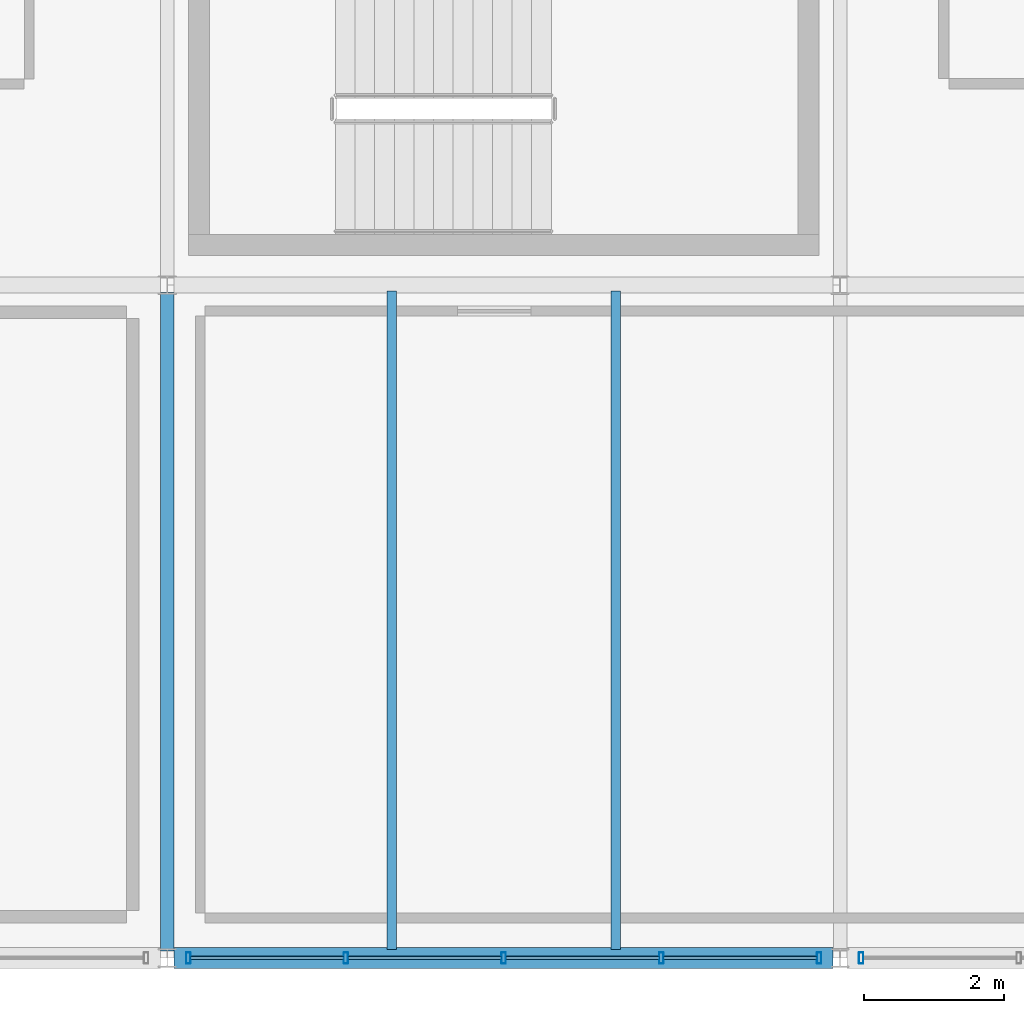
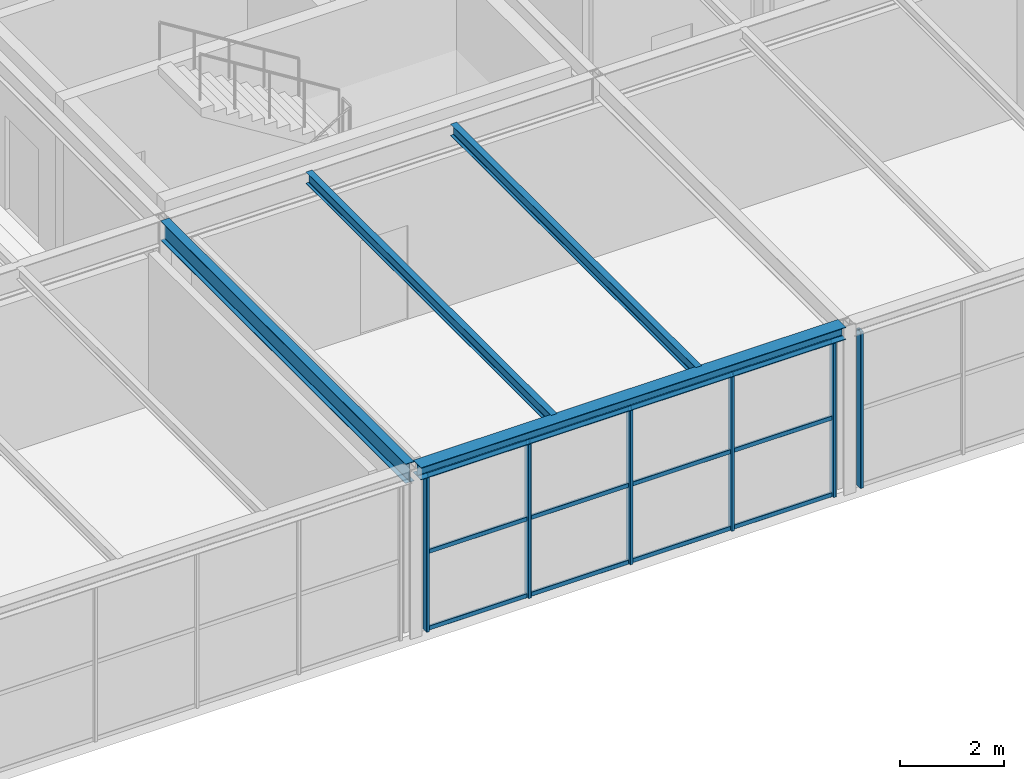
# One storey, part 22 of 39: 18 members, 4 beams, 2 elements without a shape of their own.
"""IFC4 building model written with IfcOpenShell, lengths in metres."""

from ifc_helpers import new_model, si_unit, direction, frame, origin, origin_2d, place, context, subcontext, project, spatial, hollow_rectangle, i_section, extrude, material, material_profile, profile_set, type_object, element, aggregate, save


model = new_model("IFC4")

# Units and contexts
model_context = context("Model", 3, precision=1e-05, world=origin(), true_north=direction((0.0, 1.0)))
body_context = subcontext(model_context, "Body", "Model", "MODEL_VIEW")
ifc_project = project(units=[si_unit("LENGTHUNIT", "METRE"), si_unit("AREAUNIT", "SQUARE_METRE"), si_unit("VOLUMEUNIT", "CUBIC_METRE"), si_unit("PLANEANGLEUNIT", "RADIAN"), si_unit("MASSUNIT", "GRAM", prefix="KILO")], contexts=[model_context])

# Site, building, storey
site_placement = place(None, origin())
site = spatial("IfcSite", under=ifc_project, at=site_placement, CompositionType="ELEMENT")
building_placement = place(site_placement, origin())
building = spatial("IfcBuilding", under=site, at=building_placement, Name="Coralgate Yard Interchange", CompositionType="ELEMENT")
storey_placement = place(building_placement, frame((0.0, 0.0, 18.89990234375)))
storey = spatial("IfcBuildingStorey", under=building, at=storey_placement, Name="L04", CompositionType="ELEMENT", Elevation=18.89990234375)

# Beams
ifc_material_1 = material(Name="Structural steel S355J2", Category="steel")
ifc_material_profile_1 = material_profile(ifc_material_1, i_section(OverallWidth=0.1904296875, OverallDepth=0.45703125, WebThickness=0.009033203125, FlangeThickness=0.014404296875, FilletRadius=0.01025390625, at=origin_2d()), Name="UB 457x191x74")
ifc_profile_set_1 = profile_set([ifc_material_profile_1], Name="Structural steel S355J2")
beam_type_1 = type_object("IfcBeamType", Name="BM-SB-2", PredefinedType="BEAM", material=ifc_profile_set_1)
beam_1_placement = place(storey_placement, frame((48.0, 0.103271484375, 3.7216796875), z_axis=(0.0, 1.0, 0.0), x_axis=(-1.0, 0.0, 0.0)))
element("IfcBeam", 1, at=beam_1_placement, inside=storey, type_object=beam_type_1, Name="L04 primary grid girder X5 Y0-1", PredefinedType="BEAM", context=body_context, shape_type="SweptSolid", body=[
    extrude(i_section(OverallWidth=0.1904296875, OverallDepth=0.45703125, WebThickness=0.009033203125, FlangeThickness=0.014404296875, FilletRadius=0.01025390625, at=origin_2d()), origin(), (0.0, 0.0, 1.0), 9.393310546875),
])
ifc_material_profile_2 = material_profile(ifc_material_1, i_section(OverallWidth=0.135009765625, OverallDepth=0.27001953125, WebThickness=0.006591796875, FlangeThickness=0.01025390625, FilletRadius=0.014892578125, at=origin_2d()), Name="IPE 270")
ifc_profile_set_2 = profile_set([ifc_material_profile_2], Name="Structural steel S355J2")
beam_type_2 = type_object("IfcBeamType", Name="BM-SJ-3", PredefinedType="JOIST", material=ifc_profile_set_2)
for number, where, z_axis, x_axis, name in (
    (2, (51.199951171875, 0.1201171875, 3.815185546875), (0.0, 1.0, 0.0), (-1.0, 0.0, 0.0), "L04 composite floor joist 5-0-1"),
    (3, (54.39990234375, 0.1201171875, 3.815185546875), (0.0, 1.0, 0.0), (-1.0, 0.0, 0.0), "L04 composite floor joist 5-0-2"),
):
    element("IfcBeam", number, at=place(storey_placement, frame(where, z_axis=z_axis, x_axis=x_axis)), inside=storey, type_object=beam_type_2, Name=name, PredefinedType="JOIST", context=body_context, shape_type="SweptSolid", body=[
        extrude(i_section(OverallWidth=0.135009765625, OverallDepth=0.27001953125, WebThickness=0.006591796875, FlangeThickness=0.01025390625, FilletRadius=0.014892578125, at=origin_2d()), origin(), (0.0, 0.0, 1.0), 9.395751953125),
    ])
ifc_material_profile_3 = material_profile(ifc_material_1, i_section(OverallWidth=0.300048828125, OverallDepth=0.2900390625, WebThickness=0.008544921875, FlangeThickness=0.013916015625, FilletRadius=0.027099609375, at=origin_2d()), Name="HEA 300")
ifc_profile_set_3 = profile_set([ifc_material_profile_3], Name="Structural steel S355J2")
beam_type_3 = type_object("IfcBeamType", Name="BM-SP-2", PredefinedType="SPANDREL", material=ifc_profile_set_3)
beam_2_placement = place(storey_placement, frame((48.099365234375, 0.0, 3.80517578125), z_axis=(1.0, 0.0, 0.0), x_axis=(0.0, 1.0, 0.0)))
element("IfcBeam", 4, at=beam_2_placement, inside=storey, type_object=beam_type_3, Name="L04 primary grid beam Y0 X5-6", PredefinedType="SPANDREL", context=body_context, shape_type="SweptSolid", body=[
    extrude(i_section(OverallWidth=0.300048828125, OverallDepth=0.2900390625, WebThickness=0.008544921875, FlangeThickness=0.013916015625, FilletRadius=0.027099609375, at=origin_2d()), origin(), (0.0, 0.0, 1.0), 9.401123046875),
])

# Curtain wall, members
ifc_material_2 = material(Name="Anodised coastal aluminium and solar-control low-E glass", Category="aluminium")
curtain_wall_type = type_object("IfcCurtainWallType", Name="CW-CW-L04-A", PredefinedType="NOTDEFINED", material=ifc_material_2)
curtain_wall_1_placement = place(storey_placement, origin())
curtain_wall_1 = element("IfcCurtainWall", 5, at=curtain_wall_1_placement, inside=storey, type_object=curtain_wall_type, Name="L04 unitised curtain wall CW-L04-S-05-00", PredefinedType="NOTDEFINED")
ifc_material_3 = material(Name="Anodised coastal aluminium 6063-T6", Category="aluminium")
ifc_material_profile_4 = material_profile(ifc_material_3, hollow_rectangle(XDim=0.06494140625, YDim=0.159912109375, WallThickness=0.00390625, InnerFilletRadius=0.00390625, OuterFilletRadius=0.008056640625, at=origin_2d()), Name="ALU 65x160x4")
ifc_profile_set_4 = profile_set([ifc_material_profile_4], Name="Anodised coastal aluminium 6063-T6")
member_type_1 = type_object("IfcMemberType", Name="MB-MUL-160", PredefinedType="MULLION", material=ifc_profile_set_4)
member_1_placement = place(storey_placement, frame((57.300048828125, 0.0, 0.0), z_axis=(0.0, 0.0, 1.0), x_axis=(1.0, 0.0, 0.0)))
member_1 = element("IfcMember", 6, at=member_1_placement, type_object=member_type_1, Name="CW-L04-S-05-00 vertical mullion 1", PredefinedType="MULLION", context=body_context, shape_type="SweptSolid", body=[
    extrude(hollow_rectangle(XDim=0.06494140625, YDim=0.159912109375, WallThickness=0.00390625, InnerFilletRadius=0.00390625, OuterFilletRadius=0.008056640625, at=origin_2d()), origin(), (0.0, 0.0, 1.0), 3.66015625),
])
member_2_placement = place(storey_placement, frame((55.050048828125, 0.0, 0.0), z_axis=(0.0, 0.0, 1.0), x_axis=(1.0, 0.0, 0.0)))
member_2 = element("IfcMember", 7, at=member_2_placement, type_object=member_type_1, Name="CW-L04-S-05-00 vertical mullion 2", PredefinedType="MULLION", context=body_context, shape_type="SweptSolid", body=[
    extrude(hollow_rectangle(XDim=0.06494140625, YDim=0.159912109375, WallThickness=0.00390625, InnerFilletRadius=0.00390625, OuterFilletRadius=0.008056640625, at=origin_2d()), origin(), (0.0, 0.0, 1.0), 3.66015625),
])
member_3_placement = place(storey_placement, frame((52.800048828125, 0.0, 0.0), z_axis=(0.0, 0.0, 1.0), x_axis=(1.0, 0.0, 0.0)))
member_3 = element("IfcMember", 8, at=member_3_placement, type_object=member_type_1, Name="CW-L04-S-05-00 vertical mullion 3", PredefinedType="MULLION", context=body_context, shape_type="SweptSolid", body=[
    extrude(hollow_rectangle(XDim=0.06494140625, YDim=0.159912109375, WallThickness=0.00390625, InnerFilletRadius=0.00390625, OuterFilletRadius=0.008056640625, at=origin_2d()), origin(), (0.0, 0.0, 1.0), 3.66015625),
])
member_4_placement = place(storey_placement, frame((50.550048828125, 0.0, 0.0), z_axis=(0.0, 0.0, 1.0), x_axis=(1.0, 0.0, 0.0)))
member_4 = element("IfcMember", 9, at=member_4_placement, type_object=member_type_1, Name="CW-L04-S-05-00 vertical mullion 4", PredefinedType="MULLION", context=body_context, shape_type="SweptSolid", body=[
    extrude(hollow_rectangle(XDim=0.06494140625, YDim=0.159912109375, WallThickness=0.00390625, InnerFilletRadius=0.00390625, OuterFilletRadius=0.008056640625, at=origin_2d()), origin(), (0.0, 0.0, 1.0), 3.66015625),
])
member_5_placement = place(storey_placement, frame((48.300048828125, 0.0, 0.0), z_axis=(0.0, 0.0, 1.0), x_axis=(1.0, 0.0, 0.0)))
member_5 = element("IfcMember", 10, at=member_5_placement, type_object=member_type_1, Name="CW-L04-S-05-00 vertical mullion 5", PredefinedType="MULLION", context=body_context, shape_type="SweptSolid", body=[
    extrude(hollow_rectangle(XDim=0.06494140625, YDim=0.159912109375, WallThickness=0.00390625, InnerFilletRadius=0.00390625, OuterFilletRadius=0.008056640625, at=origin_2d()), origin(), (0.0, 0.0, 1.0), 3.66015625),
])

# Curtain wall, member
curtain_wall_2_placement = place(storey_placement, origin())
curtain_wall_2 = element("IfcCurtainWall", 11, at=curtain_wall_2_placement, inside=storey, type_object=curtain_wall_type, Name="L04 unitised curtain wall CW-L04-S-06-00", PredefinedType="NOTDEFINED")
member_6_placement = place(storey_placement, frame((57.89990234375, 0.0, 0.0), z_axis=(0.0, 0.0, 1.0), x_axis=(1.0, 0.0, 0.0)))
member_6 = element("IfcMember", 12, at=member_6_placement, type_object=member_type_1, Name="CW-L04-S-06-00 vertical mullion 5", PredefinedType="MULLION", context=body_context, shape_type="SweptSolid", body=[
    extrude(hollow_rectangle(XDim=0.06494140625, YDim=0.159912109375, WallThickness=0.00390625, InnerFilletRadius=0.00390625, OuterFilletRadius=0.008056640625, at=origin_2d()), origin(), (0.0, 0.0, 1.0), 3.66015625),
])
aggregate(curtain_wall_2, [member_6])

# Member
ifc_material_profile_5 = material_profile(ifc_material_3, hollow_rectangle(XDim=0.050048828125, YDim=0.10009765625, WallThickness=0.0029296875, InnerFilletRadius=0.0029296875, OuterFilletRadius=0.006103515625, at=origin_2d()), Name="ALU 50x100x3")
ifc_profile_set_5 = profile_set([ifc_material_profile_5], Name="Anodised coastal aluminium 6063-T6")
member_type_2 = type_object("IfcMemberType", Name="MB-TRN-100", PredefinedType="USERDEFINED", material=ifc_profile_set_5)
member_7_placement = place(storey_placement, frame((57.27001953125, 0.0, 0.03515625), z_axis=(-1.0, 0.0, 0.0), x_axis=(0.0, -1.0, 0.0)))
member_7 = element("IfcMember", 13, at=member_7_placement, type_object=member_type_2, Name="CW-L04-S-05-00 horizontal transom 1-1", ObjectType="TRANSOM", PredefinedType="USERDEFINED", context=body_context, shape_type="SweptSolid", body=[
    extrude(hollow_rectangle(XDim=0.050048828125, YDim=0.10009765625, WallThickness=0.0029296875, InnerFilletRadius=0.0029296875, OuterFilletRadius=0.006103515625, at=origin_2d()), origin(), (0.0, 0.0, 1.0), 2.18994140625),
])

member_8_placement = place(storey_placement, frame((57.27001953125, 0.0, 1.830078125), z_axis=(-1.0, 0.0, 0.0), x_axis=(0.0, -1.0, 0.0)))
member_8 = element("IfcMember", 14, at=member_8_placement, type_object=member_type_2, Name="CW-L04-S-05-00 horizontal transom 1-2", ObjectType="TRANSOM", PredefinedType="USERDEFINED", context=body_context, shape_type="SweptSolid", body=[
    extrude(hollow_rectangle(XDim=0.050048828125, YDim=0.10009765625, WallThickness=0.0029296875, InnerFilletRadius=0.0029296875, OuterFilletRadius=0.006103515625, at=origin_2d()), origin(), (0.0, 0.0, 1.0), 2.18994140625),
])

member_9_placement = place(storey_placement, frame((57.27001953125, 0.0, 3.625), z_axis=(-1.0, 0.0, 0.0), x_axis=(0.0, -1.0, 0.0)))
member_9 = element("IfcMember", 15, at=member_9_placement, type_object=member_type_2, Name="CW-L04-S-05-00 horizontal transom 1-3", ObjectType="TRANSOM", PredefinedType="USERDEFINED", context=body_context, shape_type="SweptSolid", body=[
    extrude(hollow_rectangle(XDim=0.050048828125, YDim=0.10009765625, WallThickness=0.0029296875, InnerFilletRadius=0.0029296875, OuterFilletRadius=0.006103515625, at=origin_2d()), origin(), (0.0, 0.0, 1.0), 2.18994140625),
])

member_10_placement = place(storey_placement, frame((55.02001953125, 0.0, 0.03515625), z_axis=(-1.0, 0.0, 0.0), x_axis=(0.0, -1.0, 0.0)))
member_10 = element("IfcMember", 16, at=member_10_placement, type_object=member_type_2, Name="CW-L04-S-05-00 horizontal transom 2-1", ObjectType="TRANSOM", PredefinedType="USERDEFINED", context=body_context, shape_type="SweptSolid", body=[
    extrude(hollow_rectangle(XDim=0.050048828125, YDim=0.10009765625, WallThickness=0.0029296875, InnerFilletRadius=0.0029296875, OuterFilletRadius=0.006103515625, at=origin_2d()), origin(), (0.0, 0.0, 1.0), 2.18994140625),
])

member_11_placement = place(storey_placement, frame((55.02001953125, 0.0, 1.830078125), z_axis=(-1.0, 0.0, 0.0), x_axis=(0.0, -1.0, 0.0)))
member_11 = element("IfcMember", 17, at=member_11_placement, type_object=member_type_2, Name="CW-L04-S-05-00 horizontal transom 2-2", ObjectType="TRANSOM", PredefinedType="USERDEFINED", context=body_context, shape_type="SweptSolid", body=[
    extrude(hollow_rectangle(XDim=0.050048828125, YDim=0.10009765625, WallThickness=0.0029296875, InnerFilletRadius=0.0029296875, OuterFilletRadius=0.006103515625, at=origin_2d()), origin(), (0.0, 0.0, 1.0), 2.18994140625),
])

member_12_placement = place(storey_placement, frame((55.02001953125, 0.0, 3.625), z_axis=(-1.0, 0.0, 0.0), x_axis=(0.0, -1.0, 0.0)))
member_12 = element("IfcMember", 18, at=member_12_placement, type_object=member_type_2, Name="CW-L04-S-05-00 horizontal transom 2-3", ObjectType="TRANSOM", PredefinedType="USERDEFINED", context=body_context, shape_type="SweptSolid", body=[
    extrude(hollow_rectangle(XDim=0.050048828125, YDim=0.10009765625, WallThickness=0.0029296875, InnerFilletRadius=0.0029296875, OuterFilletRadius=0.006103515625, at=origin_2d()), origin(), (0.0, 0.0, 1.0), 2.18994140625),
])

member_13_placement = place(storey_placement, frame((52.77001953125, 0.0, 0.03515625), z_axis=(-1.0, 0.0, 0.0), x_axis=(0.0, -1.0, 0.0)))
member_13 = element("IfcMember", 19, at=member_13_placement, type_object=member_type_2, Name="CW-L04-S-05-00 horizontal transom 3-1", ObjectType="TRANSOM", PredefinedType="USERDEFINED", context=body_context, shape_type="SweptSolid", body=[
    extrude(hollow_rectangle(XDim=0.050048828125, YDim=0.10009765625, WallThickness=0.0029296875, InnerFilletRadius=0.0029296875, OuterFilletRadius=0.006103515625, at=origin_2d()), origin(), (0.0, 0.0, 1.0), 2.18994140625),
])

member_14_placement = place(storey_placement, frame((52.77001953125, 0.0, 1.830078125), z_axis=(-1.0, 0.0, 0.0), x_axis=(0.0, -1.0, 0.0)))
member_14 = element("IfcMember", 20, at=member_14_placement, type_object=member_type_2, Name="CW-L04-S-05-00 horizontal transom 3-2", ObjectType="TRANSOM", PredefinedType="USERDEFINED", context=body_context, shape_type="SweptSolid", body=[
    extrude(hollow_rectangle(XDim=0.050048828125, YDim=0.10009765625, WallThickness=0.0029296875, InnerFilletRadius=0.0029296875, OuterFilletRadius=0.006103515625, at=origin_2d()), origin(), (0.0, 0.0, 1.0), 2.18994140625),
])

member_15_placement = place(storey_placement, frame((52.77001953125, 0.0, 3.625), z_axis=(-1.0, 0.0, 0.0), x_axis=(0.0, -1.0, 0.0)))
member_15 = element("IfcMember", 21, at=member_15_placement, type_object=member_type_2, Name="CW-L04-S-05-00 horizontal transom 3-3", ObjectType="TRANSOM", PredefinedType="USERDEFINED", context=body_context, shape_type="SweptSolid", body=[
    extrude(hollow_rectangle(XDim=0.050048828125, YDim=0.10009765625, WallThickness=0.0029296875, InnerFilletRadius=0.0029296875, OuterFilletRadius=0.006103515625, at=origin_2d()), origin(), (0.0, 0.0, 1.0), 2.18994140625),
])

member_16_placement = place(storey_placement, frame((50.52001953125, 0.0, 0.03515625), z_axis=(-1.0, 0.0, 0.0), x_axis=(0.0, -1.0, 0.0)))
member_16 = element("IfcMember", 22, at=member_16_placement, type_object=member_type_2, Name="CW-L04-S-05-00 horizontal transom 4-1", ObjectType="TRANSOM", PredefinedType="USERDEFINED", context=body_context, shape_type="SweptSolid", body=[
    extrude(hollow_rectangle(XDim=0.050048828125, YDim=0.10009765625, WallThickness=0.0029296875, InnerFilletRadius=0.0029296875, OuterFilletRadius=0.006103515625, at=origin_2d()), origin(), (0.0, 0.0, 1.0), 2.18994140625),
])

member_17_placement = place(storey_placement, frame((50.52001953125, 0.0, 1.830078125), z_axis=(-1.0, 0.0, 0.0), x_axis=(0.0, -1.0, 0.0)))
member_17 = element("IfcMember", 23, at=member_17_placement, type_object=member_type_2, Name="CW-L04-S-05-00 horizontal transom 4-2", ObjectType="TRANSOM", PredefinedType="USERDEFINED", context=body_context, shape_type="SweptSolid", body=[
    extrude(hollow_rectangle(XDim=0.050048828125, YDim=0.10009765625, WallThickness=0.0029296875, InnerFilletRadius=0.0029296875, OuterFilletRadius=0.006103515625, at=origin_2d()), origin(), (0.0, 0.0, 1.0), 2.18994140625),
])

member_18_placement = place(storey_placement, frame((50.52001953125, 0.0, 3.625), z_axis=(-1.0, 0.0, 0.0), x_axis=(0.0, -1.0, 0.0)))
member_18 = element("IfcMember", 24, at=member_18_placement, type_object=member_type_2, Name="CW-L04-S-05-00 horizontal transom 4-3", ObjectType="TRANSOM", PredefinedType="USERDEFINED", context=body_context, shape_type="SweptSolid", body=[
    extrude(hollow_rectangle(XDim=0.050048828125, YDim=0.10009765625, WallThickness=0.0029296875, InnerFilletRadius=0.0029296875, OuterFilletRadius=0.006103515625, at=origin_2d()), origin(), (0.0, 0.0, 1.0), 2.18994140625),
])

aggregate(curtain_wall_1, [member_1, member_2, member_3, member_4, member_5, member_7, member_8, member_9, member_10, member_11, member_12, member_13, member_14, member_15, member_16, member_17, member_18])

save(model, "model.ifc")
